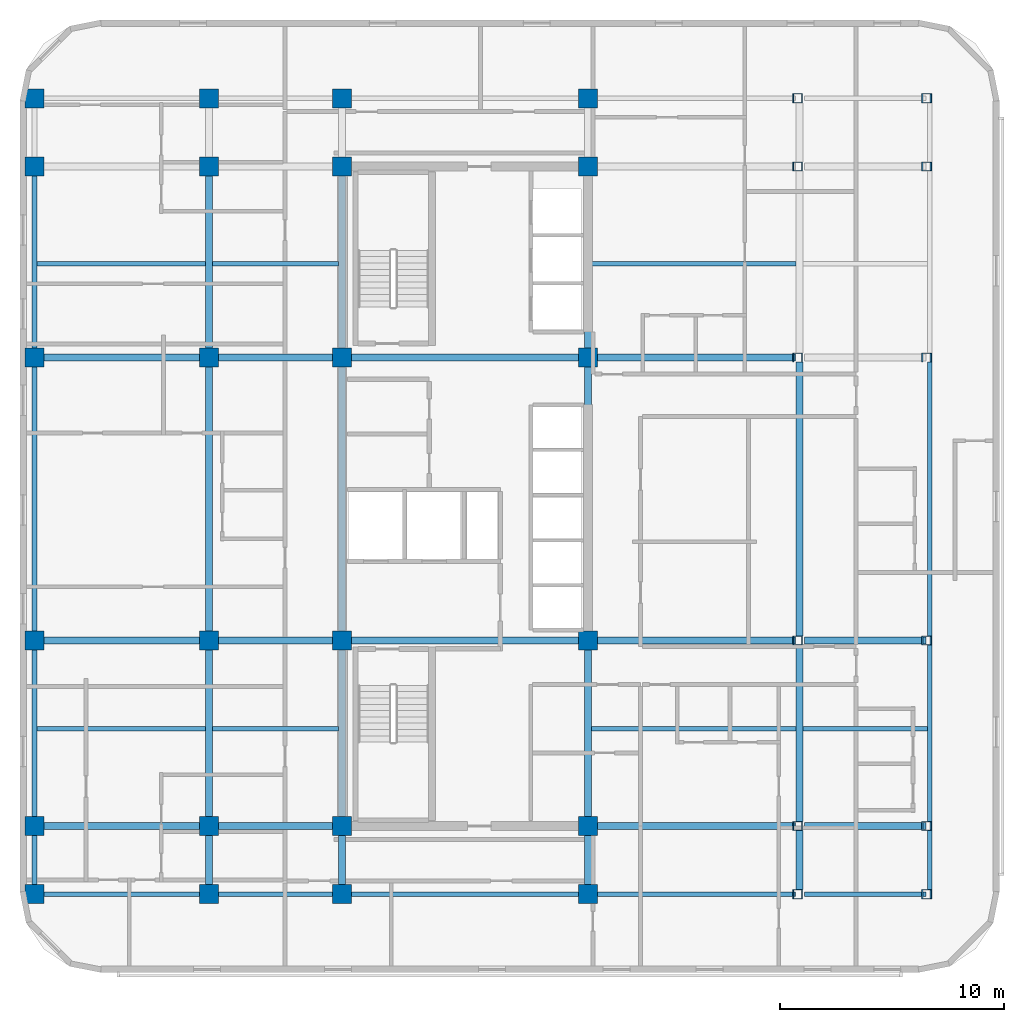
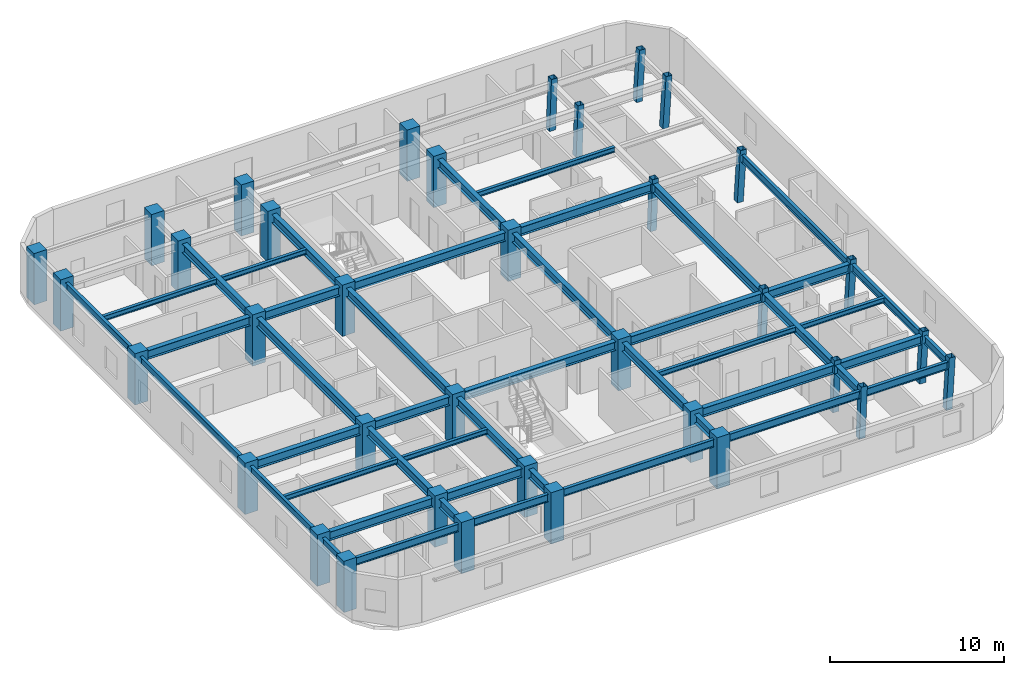
# One storey, part 1 of 11: 47 beams, 36 columns.
"""IFC4 building model written with IfcOpenShell, lengths in metres."""

from ifc_helpers import new_model, si_unit, direction, frame, origin, origin_2d, place, context, subcontext, project, spatial, rectangle, hollow_rectangle, i_section, extrude, material, material_profile, profile_set, type_object, element, save


model = new_model("IFC4")

# Units and contexts
model_context = context("Model", 3, precision=1e-05, world=origin(), true_north=direction((0.0, 1.0)))
body_context = subcontext(model_context, "Body", "Model", "MODEL_VIEW")
ifc_project = project(units=[si_unit("LENGTHUNIT", "METRE"), si_unit("AREAUNIT", "SQUARE_METRE"), si_unit("VOLUMEUNIT", "CUBIC_METRE"), si_unit("PLANEANGLEUNIT", "RADIAN"), si_unit("MASSUNIT", "GRAM", prefix="KILO")], contexts=[model_context])

# Site, building, storey
site_placement = place(None, origin())
site = spatial("IfcSite", under=ifc_project, at=site_placement, CompositionType="ELEMENT")
building_placement = place(site_placement, origin())
building = spatial("IfcBuilding", under=site, at=building_placement, Name="Ochreholt Gables", CompositionType="ELEMENT")
storey_placement = place(building_placement, frame((0.0, 0.0, 132.0)))
storey = spatial("IfcBuildingStorey", under=building, at=storey_placement, Name="L34", CompositionType="ELEMENT", Elevation=132.0)

# Columns
ifc_material_1 = material(Name="Steel CSA G40.21 350W", Category="steel")
ifc_material_profile_1 = material_profile(ifc_material_1, hollow_rectangle(XDim=0.406005859375, YDim=0.406005859375, WallThickness=0.01611328125, at=origin_2d()), Name="HSS406X406X16")
ifc_profile_set_1 = profile_set([ifc_material_profile_1], Name="Steel CSA G40.21 350W")
column_type_1 = type_object("IfcColumnType", Name="COL-HSS406-RAK", PredefinedType="COLUMN", material=ifc_profile_set_1)
for number, where, z_axis, x_axis, name in (
    (1, (44.555908203125, 9.25, 0.0), (0.034971136209, 0.0, 0.999388322742), (0.0, 1.0, 0.0), "L34 Column EMY2"),
    (2, (44.555908203125, 17.550048828125, 0.0), (0.034971136209, 0.0, 0.999388322742), (0.0, 1.0, 0.0), "L34 Column EMY3"),
    (3, (44.555908203125, 30.199951171875, 0.0), (0.034971136209, 0.0, 0.999388322742), (0.0, 1.0, 0.0), "L34 Column EMY4"),
    (4, (44.555908203125, 38.75, 0.0), (0.034971136209, 0.0, 0.999388322742), (0.0, 1.0, 0.0), "L34 Column EMY5"),
):
    element("IfcColumn", number, at=place(storey_placement, frame(where, z_axis=z_axis, x_axis=x_axis)), inside=storey, type_object=column_type_1, Name=name, PredefinedType="COLUMN", context=body_context, shape_type="SweptSolid", body=[
        extrude(hollow_rectangle(XDim=0.406005859375, YDim=0.406005859375, WallThickness=0.01611328125, at=origin_2d()), origin(), (0.0, 0.0, 1.0), 3.602294921875),
    ])
ifc_material_profile_2 = material_profile(ifc_material_1, hollow_rectangle(XDim=0.406005859375, YDim=0.406005859375, WallThickness=0.01611328125, at=origin_2d()), Name="HSS406X406X16")
ifc_profile_set_2 = profile_set([ifc_material_profile_2], Name="Steel CSA G40.21 350W")
column_type_2 = type_object("IfcColumnType", Name="COL-HSS406-RAKE", PredefinedType="COLUMN", material=ifc_profile_set_2)
for number, where, z_axis, x_axis, name in (
    (5, (44.555908203125, 6.199951171875, 0.0), (0.034971136209, 0.0, 0.999388322742), (0.0, 1.0, 0.0), "L34 Column EMY1"),
    (6, (44.555908203125, 41.800048828125, 0.0), (0.034971136209, 0.0, 0.999388322742), (0.0, 1.0, 0.0), "L34 Column EMY6"),
):
    element("IfcColumn", number, at=place(storey_placement, frame(where, z_axis=z_axis, x_axis=x_axis)), inside=storey, type_object=column_type_2, Name=name, PredefinedType="COLUMN", context=body_context, shape_type="SweptSolid", body=[
        extrude(hollow_rectangle(XDim=0.406005859375, YDim=0.406005859375, WallThickness=0.01611328125, at=origin_2d()), origin(), (0.0, 0.0, 1.0), 3.602294921875),
    ])
for number, where, z_axis, x_axis, name in (
    (7, (50.312744140625, 6.199951171875, 0.0), (0.057884606321, 0.0, 0.998323280481), (0.0, 1.0, 0.0), "L34 Column EEY1"),
    (8, (50.312744140625, 9.25, 0.0), (0.057884606321, 0.0, 0.998323280481), (0.0, 1.0, 0.0), "L34 Column EEY2"),
    (9, (50.312744140625, 17.550048828125, 0.0), (0.057884606321, 0.0, 0.998323280481), (0.0, 1.0, 0.0), "L34 Column EEY3"),
    (10, (50.312744140625, 30.199951171875, 0.0), (0.057884606321, 0.0, 0.998323280481), (0.0, 1.0, 0.0), "L34 Column EEY4"),
    (11, (50.312744140625, 38.75, 0.0), (0.057884606321, 0.0, 0.998323280481), (0.0, 1.0, 0.0), "L34 Column EEY5"),
    (12, (50.312744140625, 41.800048828125, 0.0), (0.057884606321, 0.0, 0.998323280481), (0.0, 1.0, 0.0), "L34 Column EEY6"),
):
    element("IfcColumn", number, at=place(storey_placement, frame(where, z_axis=z_axis, x_axis=x_axis)), inside=storey, type_object=column_type_2, Name=name, PredefinedType="COLUMN", context=body_context, shape_type="SweptSolid", body=[
        extrude(hollow_rectangle(XDim=0.406005859375, YDim=0.406005859375, WallThickness=0.01611328125, at=origin_2d()), origin(), (0.0, 0.0, 1.0), 3.606201171875),
    ])
ifc_material_2 = material(Name="Concrete 60 MPa", Category="concrete")
ifc_material_profile_3 = material_profile(ifc_material_2, rectangle(XDim=0.85009765625, YDim=0.85009765625, at=origin_2d()), Name="RC850X850")
ifc_profile_set_3 = profile_set([ifc_material_profile_3], Name="Concrete 60 MPa")
column_type_3 = type_object("IfcColumnType", Name="COL-RC850-EXT", PredefinedType="COLUMN", material=ifc_profile_set_3)
for number, where, z_axis, x_axis, name in (
    (13, (10.449951171875, 6.199951171875, 0.0), (0.0, 0.0, 1.0), (1.0, 0.0, 0.0), "L34 Column W2Y1"),
    (14, (10.449951171875, 9.25, 0.0), (0.0, 0.0, 1.0), (1.0, 0.0, 0.0), "L34 Column W2Y2"),
    (15, (10.449951171875, 17.550048828125, 0.0), (0.0, 0.0, 1.0), (1.0, 0.0, 0.0), "L34 Column W2Y3"),
    (16, (10.449951171875, 30.199951171875, 0.0), (0.0, 0.0, 1.0), (1.0, 0.0, 0.0), "L34 Column W2Y4"),
    (17, (10.449951171875, 38.75, 0.0), (0.0, 0.0, 1.0), (1.0, 0.0, 0.0), "L34 Column W2Y5"),
    (18, (10.449951171875, 41.800048828125, 0.0), (0.0, 0.0, 1.0), (1.0, 0.0, 0.0), "L34 Column W2Y6"),
    (19, (18.25, 6.199951171875, 0.0), (0.0, 0.0, 1.0), (1.0, 0.0, 0.0), "L34 Column W3Y1"),
    (20, (18.25, 41.800048828125, 0.0), (0.0, 0.0, 1.0), (1.0, 0.0, 0.0), "L34 Column W3Y6"),
    (21, (24.199951171875, 6.199951171875, 0.0), (0.0, 0.0, 1.0), (1.0, 0.0, 0.0), "L34 Column C1Y1"),
    (22, (24.199951171875, 41.800048828125, 0.0), (0.0, 0.0, 1.0), (1.0, 0.0, 0.0), "L34 Column C1Y6"),
    (23, (35.199951171875, 6.199951171875, 0.0), (0.0, 0.0, 1.0), (1.0, 0.0, 0.0), "L34 Column C2Y1"),
    (24, (35.199951171875, 41.800048828125, 0.0), (0.0, 0.0, 1.0), (1.0, 0.0, 0.0), "L34 Column C2Y6"),
):
    element("IfcColumn", number, at=place(storey_placement, frame(where, z_axis=z_axis, x_axis=x_axis)), inside=storey, type_object=column_type_3, Name=name, PredefinedType="COLUMN", context=body_context, shape_type="SweptSolid", body=[
        extrude(rectangle(XDim=0.85009765625, YDim=0.85009765625, at=origin_2d()), origin(), (0.0, 0.0, 1.0), 3.60009765625),
    ])
ifc_material_profile_4 = material_profile(ifc_material_2, rectangle(XDim=0.85009765625, YDim=0.85009765625, at=origin_2d()), Name="RC850X850")
ifc_profile_set_4 = profile_set([ifc_material_profile_4], Name="Concrete 60 MPa")
column_type_4 = type_object("IfcColumnType", Name="COL-RC850-INT", PredefinedType="COLUMN", material=ifc_profile_set_4)
for number, where, z_axis, x_axis, name in (
    (25, (18.25, 9.25, 0.0), (0.0, 0.0, 1.0), (1.0, 0.0, 0.0), "L34 Column W3Y2"),
    (26, (18.25, 17.550048828125, 0.0), (0.0, 0.0, 1.0), (1.0, 0.0, 0.0), "L34 Column W3Y3"),
    (27, (18.25, 30.199951171875, 0.0), (0.0, 0.0, 1.0), (1.0, 0.0, 0.0), "L34 Column W3Y4"),
    (28, (18.25, 38.75, 0.0), (0.0, 0.0, 1.0), (1.0, 0.0, 0.0), "L34 Column W3Y5"),
    (29, (24.199951171875, 9.25, 0.0), (0.0, 0.0, 1.0), (1.0, 0.0, 0.0), "L34 Column C1Y2"),
    (30, (24.199951171875, 17.550048828125, 0.0), (0.0, 0.0, 1.0), (1.0, 0.0, 0.0), "L34 Column C1Y3"),
    (31, (24.199951171875, 30.199951171875, 0.0), (0.0, 0.0, 1.0), (1.0, 0.0, 0.0), "L34 Column C1Y4"),
    (32, (24.199951171875, 38.75, 0.0), (0.0, 0.0, 1.0), (1.0, 0.0, 0.0), "L34 Column C1Y5"),
    (33, (35.199951171875, 9.25, 0.0), (0.0, 0.0, 1.0), (1.0, 0.0, 0.0), "L34 Column C2Y2"),
    (34, (35.199951171875, 17.550048828125, 0.0), (0.0, 0.0, 1.0), (1.0, 0.0, 0.0), "L34 Column C2Y3"),
    (35, (35.199951171875, 30.199951171875, 0.0), (0.0, 0.0, 1.0), (1.0, 0.0, 0.0), "L34 Column C2Y4"),
    (36, (35.199951171875, 38.75, 0.0), (0.0, 0.0, 1.0), (1.0, 0.0, 0.0), "L34 Column C2Y5"),
):
    element("IfcColumn", number, at=place(storey_placement, frame(where, z_axis=z_axis, x_axis=x_axis)), inside=storey, type_object=column_type_4, Name=name, PredefinedType="COLUMN", context=body_context, shape_type="SweptSolid", body=[
        extrude(rectangle(XDim=0.85009765625, YDim=0.85009765625, at=origin_2d()), origin(), (0.0, 0.0, 1.0), 3.60009765625),
    ])

# Beams
ifc_material_profile_5 = material_profile(ifc_material_1, i_section(OverallWidth=0.323974609375, OverallDepth=0.611083984375, WebThickness=0.0126953125, FlangeThickness=0.01904296875, at=origin_2d()), Name="W610X155")
ifc_profile_set_5 = profile_set([ifc_material_profile_5], Name="Steel CSA G40.21 350W")
beam_type_1 = type_object("IfcBeamType", Name="BM-G-W610A", PredefinedType="BEAM", material=ifc_profile_set_5)
beam_1_placement = place(storey_placement, frame((10.87451171875, 9.25, 2.994384765625), z_axis=(1.0, 0.0, 0.0), x_axis=(0.0, 1.0, 0.0)))
element("IfcBeam", 37, at=beam_1_placement, inside=storey, type_object=beam_type_1, Name="L34 Beam TBG-L34-W2W3-Y2", PredefinedType="BEAM", context=body_context, shape_type="SweptSolid", body=[
    extrude(i_section(OverallWidth=0.323974609375, OverallDepth=0.611083984375, WebThickness=0.0126953125, FlangeThickness=0.01904296875, at=origin_2d()), origin(), (0.0, 0.0, 1.0), 6.950927734375),
])
beam_2_placement = place(storey_placement, frame((18.674560546875, 9.25, 2.994384765625), z_axis=(1.0, 0.0, 0.0), x_axis=(0.0, 1.0, 0.0)))
element("IfcBeam", 38, at=beam_2_placement, inside=storey, type_object=beam_type_1, Name="L34 Beam TBG-L34-W3C1-Y2", PredefinedType="BEAM", context=body_context, shape_type="SweptSolid", body=[
    extrude(i_section(OverallWidth=0.323974609375, OverallDepth=0.611083984375, WebThickness=0.0126953125, FlangeThickness=0.01904296875, at=origin_2d()), origin(), (0.0, 0.0, 1.0), 5.100830078125),
])
beam_3_placement = place(storey_placement, frame((35.62451171875, 9.25, 2.994384765625), z_axis=(1.0, 0.0, 0.0), x_axis=(0.0, 1.0, 0.0)))
element("IfcBeam", 39, at=beam_3_placement, inside=storey, type_object=beam_type_1, Name="L34 Beam TBG-L34-C2EM-Y2", PredefinedType="BEAM", context=body_context, shape_type="SweptSolid", body=[
    extrude(i_section(OverallWidth=0.323974609375, OverallDepth=0.611083984375, WebThickness=0.0126953125, FlangeThickness=0.01904296875, at=origin_2d()), origin(), (0.0, 0.0, 1.0), 8.85498046875),
])
beam_4_placement = place(storey_placement, frame((44.884521484375, 9.25, 2.994384765625), z_axis=(1.0, 0.0, 0.0), x_axis=(0.0, 1.0, 0.0)))
element("IfcBeam", 40, at=beam_4_placement, inside=storey, type_object=beam_type_1, Name="L34 Beam TBG-L34-EMEE-Y2", PredefinedType="BEAM", context=body_context, shape_type="SweptSolid", body=[
    extrude(i_section(OverallWidth=0.323974609375, OverallDepth=0.611083984375, WebThickness=0.0126953125, FlangeThickness=0.01904296875, at=origin_2d()), origin(), (0.0, 0.0, 1.0), 5.4345703125),
])
beam_5_placement = place(storey_placement, frame((10.87451171875, 17.550048828125, 2.994384765625), z_axis=(1.0, 0.0, 0.0), x_axis=(0.0, 1.0, 0.0)))
element("IfcBeam", 41, at=beam_5_placement, inside=storey, type_object=beam_type_1, Name="L34 Beam TBG-L34-W2W3-Y3", PredefinedType="BEAM", context=body_context, shape_type="SweptSolid", body=[
    extrude(i_section(OverallWidth=0.323974609375, OverallDepth=0.611083984375, WebThickness=0.0126953125, FlangeThickness=0.01904296875, at=origin_2d()), origin(), (0.0, 0.0, 1.0), 6.950927734375),
])
beam_6_placement = place(storey_placement, frame((18.674560546875, 17.550048828125, 2.994384765625), z_axis=(1.0, 0.0, 0.0), x_axis=(0.0, 1.0, 0.0)))
element("IfcBeam", 42, at=beam_6_placement, inside=storey, type_object=beam_type_1, Name="L34 Beam TBG-L34-W3C1-Y3", PredefinedType="BEAM", context=body_context, shape_type="SweptSolid", body=[
    extrude(i_section(OverallWidth=0.323974609375, OverallDepth=0.611083984375, WebThickness=0.0126953125, FlangeThickness=0.01904296875, at=origin_2d()), origin(), (0.0, 0.0, 1.0), 5.100830078125),
])
beam_7_placement = place(storey_placement, frame((24.62451171875, 17.550048828125, 2.994384765625), z_axis=(1.0, 0.0, 0.0), x_axis=(0.0, 1.0, 0.0)))
element("IfcBeam", 43, at=beam_7_placement, inside=storey, type_object=beam_type_1, Name="L34 Beam TBG-L34-C1C2-Y3", PredefinedType="BEAM", context=body_context, shape_type="SweptSolid", body=[
    extrude(i_section(OverallWidth=0.323974609375, OverallDepth=0.611083984375, WebThickness=0.0126953125, FlangeThickness=0.01904296875, at=origin_2d()), origin(), (0.0, 0.0, 1.0), 10.15087890625),
])
beam_8_placement = place(storey_placement, frame((35.62451171875, 17.550048828125, 2.994384765625), z_axis=(1.0, 0.0, 0.0), x_axis=(0.0, 1.0, 0.0)))
element("IfcBeam", 44, at=beam_8_placement, inside=storey, type_object=beam_type_1, Name="L34 Beam TBG-L34-C2EM-Y3", PredefinedType="BEAM", context=body_context, shape_type="SweptSolid", body=[
    extrude(i_section(OverallWidth=0.323974609375, OverallDepth=0.611083984375, WebThickness=0.0126953125, FlangeThickness=0.01904296875, at=origin_2d()), origin(), (0.0, 0.0, 1.0), 8.85498046875),
])
beam_9_placement = place(storey_placement, frame((44.884521484375, 17.550048828125, 2.994384765625), z_axis=(1.0, 0.0, 0.0), x_axis=(0.0, 1.0, 0.0)))
element("IfcBeam", 45, at=beam_9_placement, inside=storey, type_object=beam_type_1, Name="L34 Beam TBG-L34-EMEE-Y3", PredefinedType="BEAM", context=body_context, shape_type="SweptSolid", body=[
    extrude(i_section(OverallWidth=0.323974609375, OverallDepth=0.611083984375, WebThickness=0.0126953125, FlangeThickness=0.01904296875, at=origin_2d()), origin(), (0.0, 0.0, 1.0), 5.4345703125),
])
beam_10_placement = place(storey_placement, frame((10.87451171875, 30.199951171875, 2.994384765625), z_axis=(1.0, 0.0, 0.0), x_axis=(0.0, 1.0, 0.0)))
element("IfcBeam", 46, at=beam_10_placement, inside=storey, type_object=beam_type_1, Name="L34 Beam TBG-L34-W2W3-Y4", PredefinedType="BEAM", context=body_context, shape_type="SweptSolid", body=[
    extrude(i_section(OverallWidth=0.323974609375, OverallDepth=0.611083984375, WebThickness=0.0126953125, FlangeThickness=0.01904296875, at=origin_2d()), origin(), (0.0, 0.0, 1.0), 6.950927734375),
])
beam_11_placement = place(storey_placement, frame((18.674560546875, 30.199951171875, 2.994384765625), z_axis=(1.0, 0.0, 0.0), x_axis=(0.0, 1.0, 0.0)))
element("IfcBeam", 47, at=beam_11_placement, inside=storey, type_object=beam_type_1, Name="L34 Beam TBG-L34-W3C1-Y4", PredefinedType="BEAM", context=body_context, shape_type="SweptSolid", body=[
    extrude(i_section(OverallWidth=0.323974609375, OverallDepth=0.611083984375, WebThickness=0.0126953125, FlangeThickness=0.01904296875, at=origin_2d()), origin(), (0.0, 0.0, 1.0), 5.100830078125),
])
beam_12_placement = place(storey_placement, frame((24.62451171875, 30.199951171875, 2.994384765625), z_axis=(1.0, 0.0, 0.0), x_axis=(0.0, 1.0, 0.0)))
element("IfcBeam", 48, at=beam_12_placement, inside=storey, type_object=beam_type_1, Name="L34 Beam TBG-L34-C1C2-Y4", PredefinedType="BEAM", context=body_context, shape_type="SweptSolid", body=[
    extrude(i_section(OverallWidth=0.323974609375, OverallDepth=0.611083984375, WebThickness=0.0126953125, FlangeThickness=0.01904296875, at=origin_2d()), origin(), (0.0, 0.0, 1.0), 10.15087890625),
])
beam_13_placement = place(storey_placement, frame((35.62451171875, 30.199951171875, 2.994384765625), z_axis=(1.0, 0.0, 0.0), x_axis=(0.0, 1.0, 0.0)))
element("IfcBeam", 49, at=beam_13_placement, inside=storey, type_object=beam_type_1, Name="L34 Beam TBG-L34-C2EM-Y4", PredefinedType="BEAM", context=body_context, shape_type="SweptSolid", body=[
    extrude(i_section(OverallWidth=0.323974609375, OverallDepth=0.611083984375, WebThickness=0.0126953125, FlangeThickness=0.01904296875, at=origin_2d()), origin(), (0.0, 0.0, 1.0), 8.85498046875),
])
beam_14_placement = place(storey_placement, frame((18.25, 6.62451171875, 2.994384765625), z_axis=(0.0, 1.0, 0.0), x_axis=(-1.0, 0.0, 0.0)))
element("IfcBeam", 50, at=beam_14_placement, inside=storey, type_object=beam_type_1, Name="L34 Beam TBN-L34-W3-Y1Y2", PredefinedType="BEAM", context=body_context, shape_type="SweptSolid", body=[
    extrude(i_section(OverallWidth=0.323974609375, OverallDepth=0.611083984375, WebThickness=0.0126953125, FlangeThickness=0.01904296875, at=origin_2d()), origin(), (0.0, 0.0, 1.0), 2.200927734375),
])
beam_15_placement = place(storey_placement, frame((18.25, 9.674560546875, 2.994384765625), z_axis=(0.0, 1.0, 0.0), x_axis=(-1.0, 0.0, 0.0)))
element("IfcBeam", 51, at=beam_15_placement, inside=storey, type_object=beam_type_1, Name="L34 Beam TBN-L34-W3-Y2Y3", PredefinedType="BEAM", context=body_context, shape_type="SweptSolid", body=[
    extrude(i_section(OverallWidth=0.323974609375, OverallDepth=0.611083984375, WebThickness=0.0126953125, FlangeThickness=0.01904296875, at=origin_2d()), origin(), (0.0, 0.0, 1.0), 7.450927734375),
])
beam_16_placement = place(storey_placement, frame((18.25, 17.974609375, 2.994384765625), z_axis=(0.0, 1.0, 0.0), x_axis=(-1.0, 0.0, 0.0)))
element("IfcBeam", 52, at=beam_16_placement, inside=storey, type_object=beam_type_1, Name="L34 Beam TBN-L34-W3-Y3Y4", PredefinedType="BEAM", context=body_context, shape_type="SweptSolid", body=[
    extrude(i_section(OverallWidth=0.323974609375, OverallDepth=0.611083984375, WebThickness=0.0126953125, FlangeThickness=0.01904296875, at=origin_2d()), origin(), (0.0, 0.0, 1.0), 11.80078125),
])
beam_17_placement = place(storey_placement, frame((18.25, 30.62451171875, 2.994384765625), z_axis=(0.0, 1.0, 0.0), x_axis=(-1.0, 0.0, 0.0)))
element("IfcBeam", 53, at=beam_17_placement, inside=storey, type_object=beam_type_1, Name="L34 Beam TBN-L34-W3-Y4Y5", PredefinedType="BEAM", context=body_context, shape_type="SweptSolid", body=[
    extrude(i_section(OverallWidth=0.323974609375, OverallDepth=0.611083984375, WebThickness=0.0126953125, FlangeThickness=0.01904296875, at=origin_2d()), origin(), (0.0, 0.0, 1.0), 7.700927734375),
])
beam_18_placement = place(storey_placement, frame((24.199951171875, 6.62451171875, 2.994384765625), z_axis=(0.0, 1.0, 0.0), x_axis=(-1.0, 0.0, 0.0)))
element("IfcBeam", 54, at=beam_18_placement, inside=storey, type_object=beam_type_1, Name="L34 Beam TBN-L34-C1-Y1Y2", PredefinedType="BEAM", context=body_context, shape_type="SweptSolid", body=[
    extrude(i_section(OverallWidth=0.323974609375, OverallDepth=0.611083984375, WebThickness=0.0126953125, FlangeThickness=0.01904296875, at=origin_2d()), origin(), (0.0, 0.0, 1.0), 2.200927734375),
])
beam_19_placement = place(storey_placement, frame((24.199951171875, 9.674560546875, 2.994384765625), z_axis=(0.0, 1.0, 0.0), x_axis=(-1.0, 0.0, 0.0)))
element("IfcBeam", 55, at=beam_19_placement, inside=storey, type_object=beam_type_1, Name="L34 Beam TBN-L34-C1-Y2Y3", PredefinedType="BEAM", context=body_context, shape_type="SweptSolid", body=[
    extrude(i_section(OverallWidth=0.323974609375, OverallDepth=0.611083984375, WebThickness=0.0126953125, FlangeThickness=0.01904296875, at=origin_2d()), origin(), (0.0, 0.0, 1.0), 7.450927734375),
])
beam_20_placement = place(storey_placement, frame((24.199951171875, 17.974609375, 2.994384765625), z_axis=(0.0, 1.0, 0.0), x_axis=(-1.0, 0.0, 0.0)))
element("IfcBeam", 56, at=beam_20_placement, inside=storey, type_object=beam_type_1, Name="L34 Beam TBN-L34-C1-Y3Y4", PredefinedType="BEAM", context=body_context, shape_type="SweptSolid", body=[
    extrude(i_section(OverallWidth=0.323974609375, OverallDepth=0.611083984375, WebThickness=0.0126953125, FlangeThickness=0.01904296875, at=origin_2d()), origin(), (0.0, 0.0, 1.0), 11.80078125),
])
beam_21_placement = place(storey_placement, frame((24.199951171875, 30.62451171875, 2.994384765625), z_axis=(0.0, 1.0, 0.0), x_axis=(-1.0, 0.0, 0.0)))
element("IfcBeam", 57, at=beam_21_placement, inside=storey, type_object=beam_type_1, Name="L34 Beam TBN-L34-C1-Y4Y5", PredefinedType="BEAM", context=body_context, shape_type="SweptSolid", body=[
    extrude(i_section(OverallWidth=0.323974609375, OverallDepth=0.611083984375, WebThickness=0.0126953125, FlangeThickness=0.01904296875, at=origin_2d()), origin(), (0.0, 0.0, 1.0), 7.700927734375),
])
beam_22_placement = place(storey_placement, frame((35.199951171875, 6.62451171875, 2.994384765625), z_axis=(0.0, 1.0, 0.0), x_axis=(-1.0, 0.0, 0.0)))
element("IfcBeam", 58, at=beam_22_placement, inside=storey, type_object=beam_type_1, Name="L34 Beam TBN-L34-C2-Y1Y2", PredefinedType="BEAM", context=body_context, shape_type="SweptSolid", body=[
    extrude(i_section(OverallWidth=0.323974609375, OverallDepth=0.611083984375, WebThickness=0.0126953125, FlangeThickness=0.01904296875, at=origin_2d()), origin(), (0.0, 0.0, 1.0), 2.200927734375),
])
beam_23_placement = place(storey_placement, frame((35.199951171875, 9.674560546875, 2.994384765625), z_axis=(0.0, 1.0, 0.0), x_axis=(-1.0, 0.0, 0.0)))
element("IfcBeam", 59, at=beam_23_placement, inside=storey, type_object=beam_type_1, Name="L34 Beam TBN-L34-C2-Y2Y3", PredefinedType="BEAM", context=body_context, shape_type="SweptSolid", body=[
    extrude(i_section(OverallWidth=0.323974609375, OverallDepth=0.611083984375, WebThickness=0.0126953125, FlangeThickness=0.01904296875, at=origin_2d()), origin(), (0.0, 0.0, 1.0), 7.450927734375),
])
beam_24_placement = place(storey_placement, frame((35.199951171875, 17.974609375, 2.994384765625), z_axis=(0.0, 1.0, 0.0), x_axis=(-1.0, 0.0, 0.0)))
element("IfcBeam", 60, at=beam_24_placement, inside=storey, type_object=beam_type_1, Name="L34 Beam TBN-L34-C2-Y3Y4", PredefinedType="BEAM", context=body_context, shape_type="SweptSolid", body=[
    extrude(i_section(OverallWidth=0.323974609375, OverallDepth=0.611083984375, WebThickness=0.0126953125, FlangeThickness=0.01904296875, at=origin_2d()), origin(), (0.0, 0.0, 1.0), 11.80078125),
])
beam_25_placement = place(storey_placement, frame((35.199951171875, 30.62451171875, 2.994384765625), z_axis=(0.0, 1.0, 0.0), x_axis=(-1.0, 0.0, 0.0)))
element("IfcBeam", 61, at=beam_25_placement, inside=storey, type_object=beam_type_1, Name="L34 Beam TBN-L34-C2-Y4Y5", PredefinedType="BEAM", context=body_context, shape_type="SweptSolid", body=[
    extrude(i_section(OverallWidth=0.323974609375, OverallDepth=0.611083984375, WebThickness=0.0126953125, FlangeThickness=0.01904296875, at=origin_2d()), origin(), (0.0, 0.0, 1.0), 7.700927734375),
])
beam_26_placement = place(storey_placement, frame((44.662841796875, 6.402587890625, 2.994384765625), z_axis=(0.0, 1.0, 0.0), x_axis=(-1.0, 0.0, 0.0)))
element("IfcBeam", 62, at=beam_26_placement, inside=storey, type_object=beam_type_1, Name="L34 Beam TBN-L34-EM-Y1Y2", PredefinedType="BEAM", context=body_context, shape_type="SweptSolid", body=[
    extrude(i_section(OverallWidth=0.323974609375, OverallDepth=0.611083984375, WebThickness=0.0126953125, FlangeThickness=0.01904296875, at=origin_2d()), origin(), (0.0, 0.0, 1.0), 2.644775390625),
])
beam_27_placement = place(storey_placement, frame((44.662841796875, 9.45263671875, 2.994384765625), z_axis=(0.0, 1.0, 0.0), x_axis=(-1.0, 0.0, 0.0)))
element("IfcBeam", 63, at=beam_27_placement, inside=storey, type_object=beam_type_1, Name="L34 Beam TBN-L34-EM-Y2Y3", PredefinedType="BEAM", context=body_context, shape_type="SweptSolid", body=[
    extrude(i_section(OverallWidth=0.323974609375, OverallDepth=0.611083984375, WebThickness=0.0126953125, FlangeThickness=0.01904296875, at=origin_2d()), origin(), (0.0, 0.0, 1.0), 7.894775390625),
])
beam_28_placement = place(storey_placement, frame((44.662841796875, 17.752685546875, 2.994384765625), z_axis=(0.0, 1.0, 0.0), x_axis=(-1.0, 0.0, 0.0)))
element("IfcBeam", 64, at=beam_28_placement, inside=storey, type_object=beam_type_1, Name="L34 Beam TBN-L34-EM-Y3Y4", PredefinedType="BEAM", context=body_context, shape_type="SweptSolid", body=[
    extrude(i_section(OverallWidth=0.323974609375, OverallDepth=0.611083984375, WebThickness=0.0126953125, FlangeThickness=0.01904296875, at=origin_2d()), origin(), (0.0, 0.0, 1.0), 12.24462890625),
])
ifc_material_profile_6 = material_profile(ifc_material_1, i_section(OverallWidth=0.205078125, OverallDepth=0.35400390625, WebThickness=0.009521484375, FlangeThickness=0.016845703125, at=origin_2d()), Name="W360X79")
ifc_profile_set_6 = profile_set([ifc_material_profile_6], Name="Steel CSA G40.21 350W")
beam_type_2 = type_object("IfcBeamType", Name="BM-J-W360A", PredefinedType="JOIST", material=ifc_profile_set_6)
beam_29_placement = place(storey_placement, frame((10.55419921875, 13.60009765625, 3.123046875), z_axis=(1.0, 0.0, 0.0), x_axis=(0.0, 1.0, 0.0)))
element("IfcBeam", 65, at=beam_29_placement, inside=storey, type_object=beam_type_2, Name="L34 Beam TBJ-L34-J1-W2W3", PredefinedType="JOIST", context=body_context, shape_type="SweptSolid", body=[
    extrude(i_section(OverallWidth=0.205078125, OverallDepth=0.35400390625, WebThickness=0.009521484375, FlangeThickness=0.016845703125, at=origin_2d()), origin(), (0.0, 0.0, 1.0), 7.5341796875),
])
beam_30_placement = place(storey_placement, frame((18.41162109375, 13.60009765625, 3.123046875), z_axis=(1.0, 0.0, 0.0), x_axis=(0.0, 1.0, 0.0)))
element("IfcBeam", 66, at=beam_30_placement, inside=storey, type_object=beam_type_2, Name="L34 Beam TBJ-L34-J1-W3C1", PredefinedType="JOIST", context=body_context, shape_type="SweptSolid", body=[
    extrude(i_section(OverallWidth=0.205078125, OverallDepth=0.35400390625, WebThickness=0.009521484375, FlangeThickness=0.016845703125, at=origin_2d()), origin(), (0.0, 0.0, 1.0), 5.626708984375),
])
beam_31_placement = place(storey_placement, frame((35.361572265625, 13.60009765625, 3.123046875), z_axis=(1.0, 0.0, 0.0), x_axis=(0.0, 1.0, 0.0)))
element("IfcBeam", 67, at=beam_31_placement, inside=storey, type_object=beam_type_2, Name="L34 Beam TBJ-L34-J1-C2EM", PredefinedType="JOIST", context=body_context, shape_type="SweptSolid", body=[
    extrude(i_section(OverallWidth=0.205078125, OverallDepth=0.35400390625, WebThickness=0.009521484375, FlangeThickness=0.016845703125, at=origin_2d()), origin(), (0.0, 0.0, 1.0), 9.1396484375),
])
beam_32_placement = place(storey_placement, frame((44.824462890625, 13.60009765625, 3.123046875), z_axis=(1.0, 0.0, 0.0), x_axis=(0.0, 1.0, 0.0)))
element("IfcBeam", 68, at=beam_32_placement, inside=storey, type_object=beam_type_2, Name="L34 Beam TBJ-L34-J1-EMEE", PredefinedType="JOIST", context=body_context, shape_type="SweptSolid", body=[
    extrude(i_section(OverallWidth=0.205078125, OverallDepth=0.35400390625, WebThickness=0.009521484375, FlangeThickness=0.016845703125, at=origin_2d()), origin(), (0.0, 0.0, 1.0), 5.56103515625),
])
beam_33_placement = place(storey_placement, frame((10.55419921875, 34.39990234375, 3.123046875), z_axis=(1.0, 0.0, 0.0), x_axis=(0.0, 1.0, 0.0)))
element("IfcBeam", 69, at=beam_33_placement, inside=storey, type_object=beam_type_2, Name="L34 Beam TBJ-L34-J2-W2W3", PredefinedType="JOIST", context=body_context, shape_type="SweptSolid", body=[
    extrude(i_section(OverallWidth=0.205078125, OverallDepth=0.35400390625, WebThickness=0.009521484375, FlangeThickness=0.016845703125, at=origin_2d()), origin(), (0.0, 0.0, 1.0), 7.5341796875),
])
beam_34_placement = place(storey_placement, frame((18.41162109375, 34.39990234375, 3.123046875), z_axis=(1.0, 0.0, 0.0), x_axis=(0.0, 1.0, 0.0)))
element("IfcBeam", 70, at=beam_34_placement, inside=storey, type_object=beam_type_2, Name="L34 Beam TBJ-L34-J2-W3C1", PredefinedType="JOIST", context=body_context, shape_type="SweptSolid", body=[
    extrude(i_section(OverallWidth=0.205078125, OverallDepth=0.35400390625, WebThickness=0.009521484375, FlangeThickness=0.016845703125, at=origin_2d()), origin(), (0.0, 0.0, 1.0), 5.626708984375),
])
beam_35_placement = place(storey_placement, frame((35.361572265625, 34.39990234375, 3.123046875), z_axis=(1.0, 0.0, 0.0), x_axis=(0.0, 1.0, 0.0)))
element("IfcBeam", 71, at=beam_35_placement, inside=storey, type_object=beam_type_2, Name="L34 Beam TBJ-L34-J2-C2EM", PredefinedType="JOIST", context=body_context, shape_type="SweptSolid", body=[
    extrude(i_section(OverallWidth=0.205078125, OverallDepth=0.35400390625, WebThickness=0.009521484375, FlangeThickness=0.016845703125, at=origin_2d()), origin(), (0.0, 0.0, 1.0), 9.1396484375),
])
ifc_material_profile_7 = material_profile(ifc_material_1, i_section(OverallWidth=0.208984375, OverallDepth=0.532958984375, WebThickness=0.01025390625, FlangeThickness=0.015625, at=origin_2d()), Name="W530X92")
ifc_profile_set_7 = profile_set([ifc_material_profile_7], Name="Steel CSA G40.21 350W")
beam_type_3 = type_object("IfcBeamType", Name="BM-SP-W530B", PredefinedType="SPANDREL", material=ifc_profile_set_7)
beam_36_placement = place(storey_placement, frame((10.87451171875, 6.199951171875, 3.033447265625), z_axis=(1.0, 0.0, 0.0), x_axis=(0.0, 1.0, 0.0)))
element("IfcBeam", 72, at=beam_36_placement, inside=storey, type_object=beam_type_3, Name="L34 Beam TBG-L34-W2W3-Y1", PredefinedType="SPANDREL", context=body_context, shape_type="SweptSolid", body=[
    extrude(i_section(OverallWidth=0.208984375, OverallDepth=0.532958984375, WebThickness=0.01025390625, FlangeThickness=0.015625, at=origin_2d()), origin(), (0.0, 0.0, 1.0), 6.950927734375),
])
beam_37_placement = place(storey_placement, frame((18.674560546875, 6.199951171875, 3.033447265625), z_axis=(1.0, 0.0, 0.0), x_axis=(0.0, 1.0, 0.0)))
element("IfcBeam", 73, at=beam_37_placement, inside=storey, type_object=beam_type_3, Name="L34 Beam TBG-L34-W3C1-Y1", PredefinedType="SPANDREL", context=body_context, shape_type="SweptSolid", body=[
    extrude(i_section(OverallWidth=0.208984375, OverallDepth=0.532958984375, WebThickness=0.01025390625, FlangeThickness=0.015625, at=origin_2d()), origin(), (0.0, 0.0, 1.0), 5.100830078125),
])
beam_38_placement = place(storey_placement, frame((24.62451171875, 6.199951171875, 3.033447265625), z_axis=(1.0, 0.0, 0.0), x_axis=(0.0, 1.0, 0.0)))
element("IfcBeam", 74, at=beam_38_placement, inside=storey, type_object=beam_type_3, Name="L34 Beam TBG-L34-C1C2-Y1", PredefinedType="SPANDREL", context=body_context, shape_type="SweptSolid", body=[
    extrude(i_section(OverallWidth=0.208984375, OverallDepth=0.532958984375, WebThickness=0.01025390625, FlangeThickness=0.015625, at=origin_2d()), origin(), (0.0, 0.0, 1.0), 10.15087890625),
])
beam_39_placement = place(storey_placement, frame((35.62451171875, 6.199951171875, 3.033447265625), z_axis=(1.0, 0.0, 0.0), x_axis=(0.0, 1.0, 0.0)))
element("IfcBeam", 75, at=beam_39_placement, inside=storey, type_object=beam_type_3, Name="L34 Beam TBG-L34-C2EM-Y1", PredefinedType="SPANDREL", context=body_context, shape_type="SweptSolid", body=[
    extrude(i_section(OverallWidth=0.208984375, OverallDepth=0.532958984375, WebThickness=0.01025390625, FlangeThickness=0.015625, at=origin_2d()), origin(), (0.0, 0.0, 1.0), 8.85498046875),
])
beam_40_placement = place(storey_placement, frame((44.884521484375, 6.199951171875, 3.033447265625), z_axis=(1.0, 0.0, 0.0), x_axis=(0.0, 1.0, 0.0)))
element("IfcBeam", 76, at=beam_40_placement, inside=storey, type_object=beam_type_3, Name="L34 Beam TBG-L34-EMEE-Y1", PredefinedType="SPANDREL", context=body_context, shape_type="SweptSolid", body=[
    extrude(i_section(OverallWidth=0.208984375, OverallDepth=0.532958984375, WebThickness=0.01025390625, FlangeThickness=0.015625, at=origin_2d()), origin(), (0.0, 0.0, 1.0), 5.4345703125),
])
beam_41_placement = place(storey_placement, frame((10.449951171875, 6.62451171875, 3.033447265625), z_axis=(0.0, 1.0, 0.0), x_axis=(-1.0, 0.0, 0.0)))
element("IfcBeam", 77, at=beam_41_placement, inside=storey, type_object=beam_type_3, Name="L34 Beam TBN-L34-W2-Y1Y2", PredefinedType="SPANDREL", context=body_context, shape_type="SweptSolid", body=[
    extrude(i_section(OverallWidth=0.208984375, OverallDepth=0.532958984375, WebThickness=0.01025390625, FlangeThickness=0.015625, at=origin_2d()), origin(), (0.0, 0.0, 1.0), 2.200927734375),
])
beam_42_placement = place(storey_placement, frame((10.449951171875, 9.674560546875, 3.033447265625), z_axis=(0.0, 1.0, 0.0), x_axis=(-1.0, 0.0, 0.0)))
element("IfcBeam", 78, at=beam_42_placement, inside=storey, type_object=beam_type_3, Name="L34 Beam TBN-L34-W2-Y2Y3", PredefinedType="SPANDREL", context=body_context, shape_type="SweptSolid", body=[
    extrude(i_section(OverallWidth=0.208984375, OverallDepth=0.532958984375, WebThickness=0.01025390625, FlangeThickness=0.015625, at=origin_2d()), origin(), (0.0, 0.0, 1.0), 7.450927734375),
])
beam_43_placement = place(storey_placement, frame((10.449951171875, 17.974609375, 3.033447265625), z_axis=(0.0, 1.0, 0.0), x_axis=(-1.0, 0.0, 0.0)))
element("IfcBeam", 79, at=beam_43_placement, inside=storey, type_object=beam_type_3, Name="L34 Beam TBN-L34-W2-Y3Y4", PredefinedType="SPANDREL", context=body_context, shape_type="SweptSolid", body=[
    extrude(i_section(OverallWidth=0.208984375, OverallDepth=0.532958984375, WebThickness=0.01025390625, FlangeThickness=0.015625, at=origin_2d()), origin(), (0.0, 0.0, 1.0), 11.80078125),
])
beam_44_placement = place(storey_placement, frame((10.449951171875, 30.62451171875, 3.033447265625), z_axis=(0.0, 1.0, 0.0), x_axis=(-1.0, 0.0, 0.0)))
element("IfcBeam", 80, at=beam_44_placement, inside=storey, type_object=beam_type_3, Name="L34 Beam TBN-L34-W2-Y4Y5", PredefinedType="SPANDREL", context=body_context, shape_type="SweptSolid", body=[
    extrude(i_section(OverallWidth=0.208984375, OverallDepth=0.532958984375, WebThickness=0.01025390625, FlangeThickness=0.015625, at=origin_2d()), origin(), (0.0, 0.0, 1.0), 7.700927734375),
])
beam_45_placement = place(storey_placement, frame((50.48974609375, 6.402587890625, 3.033447265625), z_axis=(0.0, 1.0, 0.0), x_axis=(-1.0, 0.0, 0.0)))
element("IfcBeam", 81, at=beam_45_placement, inside=storey, type_object=beam_type_3, Name="L34 Beam TBN-L34-EE-Y1Y2", PredefinedType="SPANDREL", context=body_context, shape_type="SweptSolid", body=[
    extrude(i_section(OverallWidth=0.208984375, OverallDepth=0.532958984375, WebThickness=0.01025390625, FlangeThickness=0.015625, at=origin_2d()), origin(), (0.0, 0.0, 1.0), 2.644775390625),
])
beam_46_placement = place(storey_placement, frame((50.48974609375, 9.45263671875, 3.033447265625), z_axis=(0.0, 1.0, 0.0), x_axis=(-1.0, 0.0, 0.0)))
element("IfcBeam", 82, at=beam_46_placement, inside=storey, type_object=beam_type_3, Name="L34 Beam TBN-L34-EE-Y2Y3", PredefinedType="SPANDREL", context=body_context, shape_type="SweptSolid", body=[
    extrude(i_section(OverallWidth=0.208984375, OverallDepth=0.532958984375, WebThickness=0.01025390625, FlangeThickness=0.015625, at=origin_2d()), origin(), (0.0, 0.0, 1.0), 7.894775390625),
])
beam_47_placement = place(storey_placement, frame((50.48974609375, 17.752685546875, 3.033447265625), z_axis=(0.0, 1.0, 0.0), x_axis=(-1.0, 0.0, 0.0)))
element("IfcBeam", 83, at=beam_47_placement, inside=storey, type_object=beam_type_3, Name="L34 Beam TBN-L34-EE-Y3Y4", PredefinedType="SPANDREL", context=body_context, shape_type="SweptSolid", body=[
    extrude(i_section(OverallWidth=0.208984375, OverallDepth=0.532958984375, WebThickness=0.01025390625, FlangeThickness=0.015625, at=origin_2d()), origin(), (0.0, 0.0, 1.0), 12.24462890625),
])

save(model, "model.ifc")
